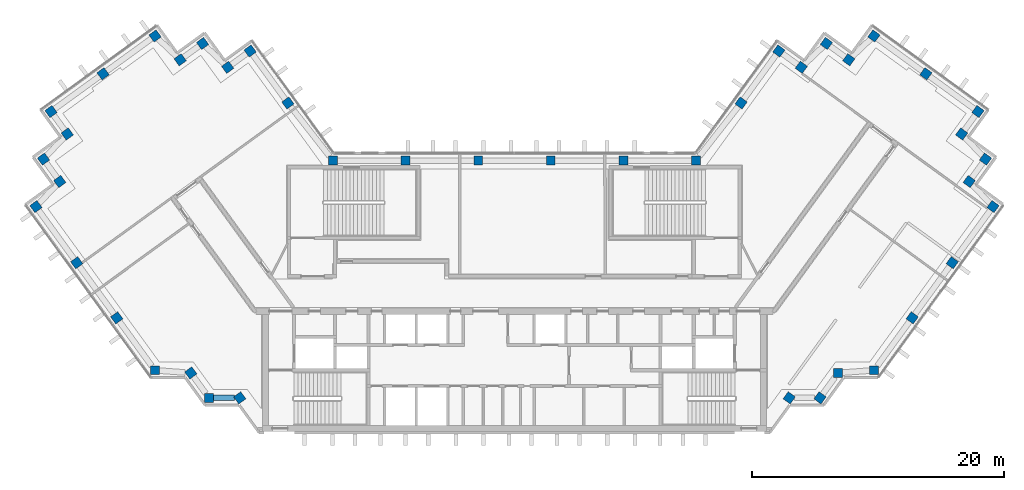
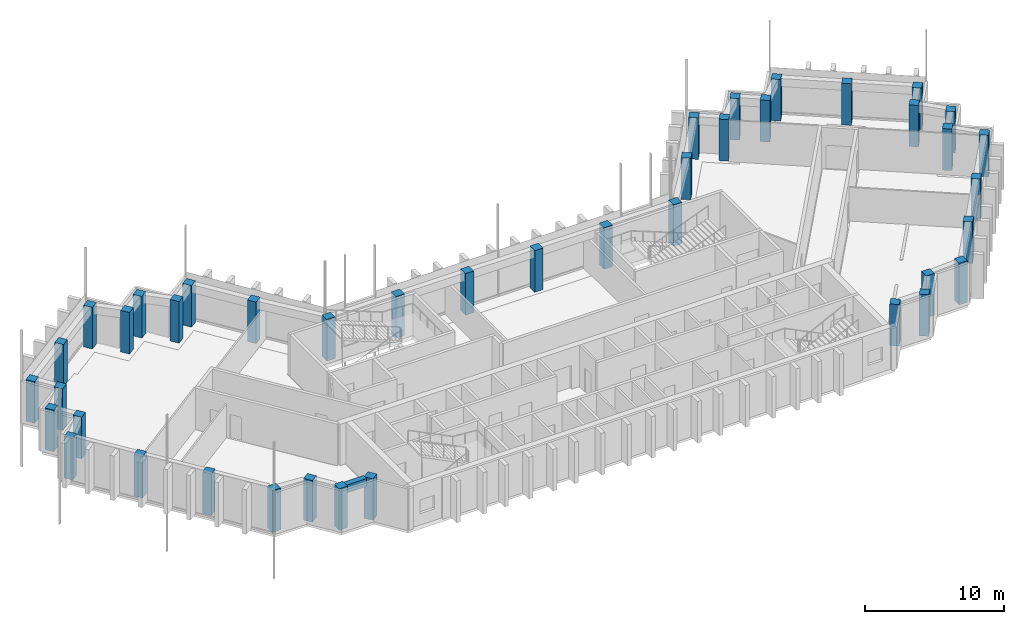
# One storey, part 1 of 14: 42 columns, 1 beam.
"""IFC4 building model written with IfcOpenShell, lengths in metres."""

from ifc_helpers import new_model, si_unit, direction, frame, origin, origin_2d, place, context, subcontext, project, spatial, rectangle, extrude, material, material_profile, profile_set, type_object, element, save


model = new_model("IFC4")

# Units and contexts
model_context = context("Model", 3, precision=1e-05, world=origin(), true_north=direction((0.0, 1.0)))
body_context = subcontext(model_context, "Body", "Model", "MODEL_VIEW")
ifc_project = project(units=[si_unit("LENGTHUNIT", "METRE"), si_unit("AREAUNIT", "SQUARE_METRE"), si_unit("VOLUMEUNIT", "CUBIC_METRE"), si_unit("PLANEANGLEUNIT", "RADIAN"), si_unit("MASSUNIT", "GRAM", prefix="KILO")], contexts=[model_context])

# Site, building, storey
site_placement = place(None, origin())
site = spatial("IfcSite", under=ifc_project, at=site_placement, CompositionType="ELEMENT")
building_placement = place(site_placement, origin())
building = spatial("IfcBuilding", under=site, at=building_placement, Name="Quipu Civic Tower", CompositionType="ELEMENT")
storey_placement = place(building_placement, frame((0.0, 0.0, 323.0)))
storey = spatial("IfcBuildingStorey", under=building, at=storey_placement, Name="L75", CompositionType="ELEMENT", Elevation=323.0)

# Columns
ifc_material_1 = material(Name="Concrete C40/50", Category="concrete")
ifc_material_profile_1 = material_profile(ifc_material_1, rectangle(XDim=0.699951171875, YDim=0.699951171875, at=origin_2d()), Name="RC700x700")
ifc_profile_set_1 = profile_set([ifc_material_profile_1], Name="Concrete C40/50")
column_type = type_object("IfcColumnType", Name="Perimeter column RC 700x700 C40/50", PredefinedType="COLUMN", material=ifc_profile_set_1)
for number, where, z_axis, x_axis, name in (
    (1, (-17.9736328125, 15.074951171875, 0.0), (0.0, 0.0, 1.0), (-0.587785252292, 0.809016994375, 0.0), "Column L75 W-IN-01"),
    (2, (-20.969970703125, 19.195068359375, 0.0), (0.0, 0.0, 1.0), (-0.587785252292, 0.809016994375, 0.0), "Column L75 T-Wi.0-W22"),
    (3, (-22.749267578125, 17.904296875, 0.0), (0.0, 0.0, 1.0), (-0.587785252292, 0.809016994375, 0.0), "Column L75 T-Wi.1-W22"),
    (4, (-24.739990234375, 19.794921875, 0.0), (0.0, 0.0, 1.0), (-0.587785252292, 0.809016994375, 0.0), "Column L75 T-Wi.2-W22"),
    (5, (-26.51904296875, 18.50048828125, 0.0), (0.0, 0.0, 1.0), (-0.587785252292, 0.809016994375, 0.0), "Column L75 T-Wi.3-W22"),
    (6, (-28.510009765625, 20.389892578125, 0.0), (0.0, 0.0, 1.0), (-0.809016994375, -0.587785252292, 0.0), "Column L75 T-Wi.4-W22"),
    (7, (-32.636962890625, 17.39306640625, 0.0), (0.0, 0.0, 1.0), (-0.809016994375, -0.587785252292, 0.0), "Column L75 TIP-W-01-W22"),
    (8, (-36.764892578125, 14.39501953125, 0.0), (0.0, 0.0, 1.0), (0.587785252292, -0.809016994375, 0.0), "Column L75 T-Wo.0-W22"),
    (9, (-35.470703125, 12.616455078125, 0.0), (0.0, 0.0, 1.0), (-0.809016994375, -0.587785252292, 0.0), "Column L75 T-Wo.1-W22"),
    (10, (-37.360107421875, 10.625, 0.0), (0.0, 0.0, 1.0), (0.587785252292, -0.809016994375, 0.0), "Column L75 T-Wo.2-W22"),
    (11, (-36.068115234375, 8.843994140625, 0.0), (0.0, 0.0, 1.0), (0.587785252292, -0.809016994375, 0.0), "Column L75 T-Wo.3-W22"),
    (12, (-37.9599609375, 6.85498046875, 0.0), (0.0, 0.0, 1.0), (0.587785252292, -0.809016994375, 0.0), "Column L75 T-Wo.4-W22"),
    (13, (-34.722412109375, 2.39990234375, 0.0), (0.0, 0.0, 1.0), (0.587785252292, -0.809016994375, 0.0), "Column L75 W-OUT-02"),
    (14, (-31.54833984375, -1.96875, 0.0), (0.0, 0.0, 1.0), (0.587785252292, -0.809016994375, 0.0), "Column L75 W-OUT-01"),
    (15, (-28.52490234375, -6.1298828125, 0.0), (0.0, 0.0, 1.0), (1.0, 0.0, 0.0), "Column L75 J-Wo.0"),
    (16, (-25.67431640625, -6.3369140625, 0.0), (0.0, 0.0, 1.0), (0.587785252292, -0.809016994375, 0.0), "Column L75 J-Wo.1"),
    (17, (-24.235107421875, -8.31494140625, 0.0), (0.0, 0.0, 1.0), (1.0, 0.0, 0.0), "Column L75 J-Wo.2"),
    (18, (-21.791748046875, -8.31494140625, 0.0), (0.0, 0.0, 1.0), (0.587785252292, -0.809016994375, 0.0), "Column L75 J-Wo.3"),
    (19, (21.791748046875, -8.31494140625, 0.0), (0.0, 0.0, 1.0), (0.587785252292, 0.809016994375, 0.0), "Column L75 J-Eo.1"),
    (20, (24.235107421875, -8.31494140625, 0.0), (0.0, 0.0, 1.0), (0.587785252292, 0.809016994375, 0.0), "Column L75 J-Eo.2"),
    (21, (25.67431640625, -6.3369140625, 0.0), (0.0, 0.0, 1.0), (1.0, 0.0, 0.0), "Column L75 J-Eo.3"),
    (22, (28.52490234375, -6.1298828125, 0.0), (0.0, 0.0, 1.0), (1.0, 0.0, 0.0), "Column L75 J-Eo.4"),
    (23, (31.54833984375, -1.96875, 0.0), (0.0, 0.0, 1.0), (0.587785252292, 0.809016994375, 0.0), "Column L75 E-OUT-01"),
    (24, (34.722412109375, 2.39990234375, 0.0), (0.0, 0.0, 1.0), (0.587785252292, 0.809016994375, 0.0), "Column L75 E-OUT-02"),
    (25, (37.9599609375, 6.85498046875, 0.0), (0.0, 0.0, 1.0), (0.587785252292, 0.809016994375, 0.0), "Column L75 T-Eo.0-E22"),
    (26, (36.068115234375, 8.843994140625, 0.0), (0.0, 0.0, 1.0), (0.587785252292, 0.809016994375, 0.0), "Column L75 T-Eo.1-E22"),
    (27, (37.360107421875, 10.625, 0.0), (0.0, 0.0, 1.0), (0.587785252292, 0.809016994375, 0.0), "Column L75 T-Eo.2-E22"),
    (28, (35.470703125, 12.616455078125, 0.0), (0.0, 0.0, 1.0), (-0.809016994375, 0.587785252292, 0.0), "Column L75 T-Eo.3-E22"),
    (29, (36.764892578125, 14.39501953125, 0.0), (0.0, 0.0, 1.0), (-0.809016994375, 0.587785252292, 0.0), "Column L75 T-Eo.4-E22"),
    (30, (32.636962890625, 17.39306640625, 0.0), (0.0, 0.0, 1.0), (-0.809016994375, 0.587785252292, 0.0), "Column L75 TIP-E-01-E22"),
    (31, (28.510009765625, 20.389892578125, 0.0), (0.0, 0.0, 1.0), (-0.587785252292, -0.809016994375, 0.0), "Column L75 T-Ei.0-E22"),
    (32, (26.51904296875, 18.50048828125, 0.0), (0.0, 0.0, 1.0), (-0.809016994375, 0.587785252292, 0.0), "Column L75 T-Ei.1-E22"),
    (33, (24.739990234375, 19.794921875, 0.0), (0.0, 0.0, 1.0), (-0.587785252292, -0.809016994375, 0.0), "Column L75 T-Ei.2-E22"),
    (34, (22.749267578125, 17.904296875, 0.0), (0.0, 0.0, 1.0), (-0.587785252292, -0.809016994375, 0.0), "Column L75 T-Ei.3-E22"),
    (35, (20.969970703125, 19.195068359375, 0.0), (0.0, 0.0, 1.0), (-0.587785252292, -0.809016994375, 0.0), "Column L75 T-Ei.4-E22"),
    (36, (17.9736328125, 15.074951171875, 0.0), (0.0, 0.0, 1.0), (-0.587785252292, -0.809016994375, 0.0), "Column L75 E-IN-01"),
    (37, (14.395263671875, 10.5, 0.0), (0.0, 0.0, 1.0), (-1.0, 0.0, 0.0), "Column L75 J-Ei.0"),
    (38, (8.63720703125, 10.5, 0.0), (0.0, 0.0, 1.0), (-1.0, 0.0, 0.0), "Column L75 FRONT-01"),
    (39, (2.87890625, 10.5, 0.0), (0.0, 0.0, 1.0), (-1.0, 0.0, 0.0), "Column L75 FRONT-02"),
    (40, (-2.87890625, 10.5, 0.0), (0.0, 0.0, 1.0), (-1.0, 0.0, 0.0), "Column L75 FRONT-03"),
    (41, (-8.63720703125, 10.5, 0.0), (0.0, 0.0, 1.0), (-1.0, 0.0, 0.0), "Column L75 FRONT-04"),
    (42, (-14.395263671875, 10.5, 0.0), (0.0, 0.0, 1.0), (-1.0, 0.0, 0.0), "Column L75 J-Wi.0"),
):
    element("IfcColumn", number, at=place(storey_placement, frame(where, z_axis=z_axis, x_axis=x_axis)), inside=storey, type_object=column_type, Name=name, PredefinedType="COLUMN", context=body_context, shape_type="SweptSolid", body=[
        extrude(rectangle(XDim=0.699951171875, YDim=0.699951171875, at=origin_2d()), origin(), (0.0, 0.0, 1.0), 3.64990234375),
    ])

# Beam
ifc_material_2 = material(Name="Concrete C50/60", Category="concrete")
ifc_material_profile_2 = material_profile(ifc_material_2, rectangle(XDim=0.449951171875, YDim=0.699951171875, at=origin_2d()), Name="RC450x700")
ifc_profile_set_2 = profile_set([ifc_material_profile_2], Name="Concrete C50/60")
beam_type = type_object("IfcBeamType", Name="Spandrel beam RC 450x700 C50/60", PredefinedType="SPANDREL", material=ifc_profile_set_2)
beam_placement = place(storey_placement, frame((-23.885009765625, -8.31494140625, 3.300048828125), z_axis=(1.0, 0.0, 0.0), x_axis=(0.0, 1.0, 0.0)))
element("IfcBeam", 43, at=beam_placement, inside=storey, type_object=beam_type, Name="Spandrel beam L75 J-Wo.2 to J-Wo.3", PredefinedType="SPANDREL", context=body_context, shape_type="SweptSolid", body=[
    extrude(rectangle(XDim=0.449951171875, YDim=0.699951171875, at=origin_2d()), origin(), (0.0, 0.0, 1.0), 1.66064453125),
])

save(model, "model.ifc")
